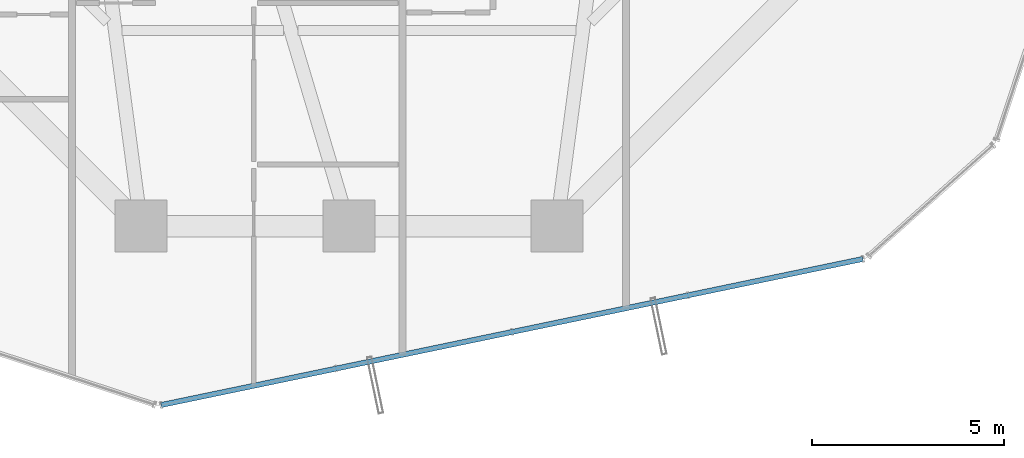
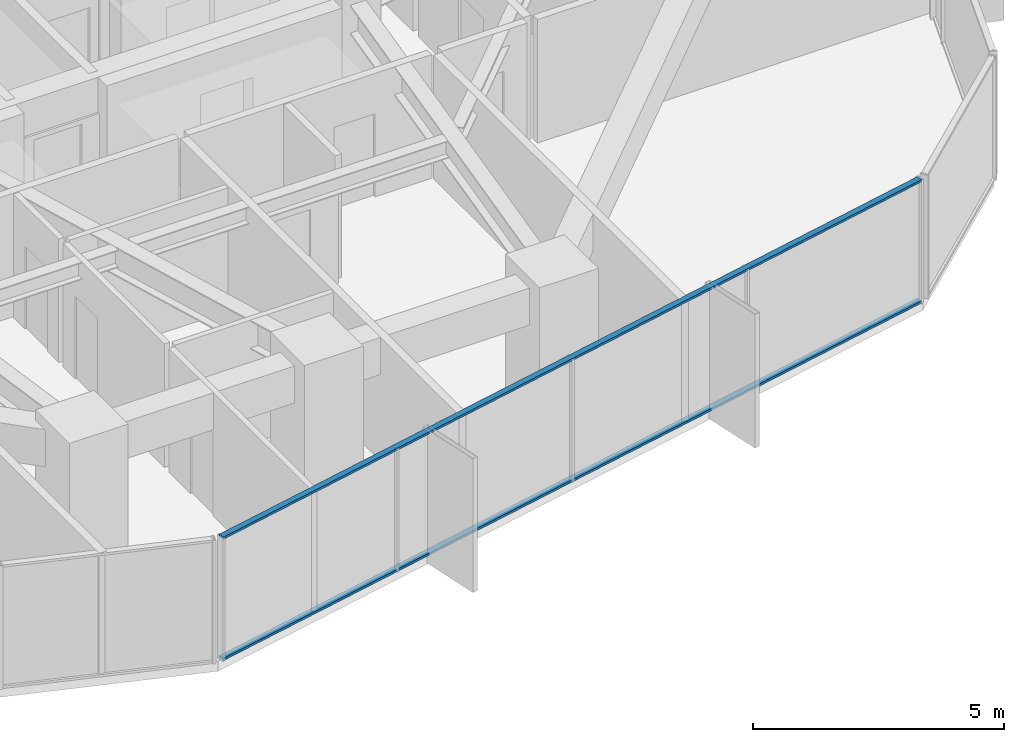
# One storey, part 7 of 38: 2 members, 1 element without a shape of its own.
"""IFC4 building model written with IfcOpenShell, lengths in metres."""

from ifc_helpers import new_model, si_unit, direction, frame, origin, origin_2d, place, context, subcontext, project, spatial, hollow_rectangle, extrude, source, transform, mapped, material, layer, layer_set, material_profile, profile_set, type_object, element, aggregate, save


model = new_model("IFC4")

# Units and contexts
model_context = context("Model", 3, precision=1e-05, world=origin(), true_north=direction((0.0, 1.0)))
body_context = subcontext(model_context, "Body", "Model", "MODEL_VIEW")
ifc_project = project(units=[si_unit("LENGTHUNIT", "METRE"), si_unit("AREAUNIT", "SQUARE_METRE"), si_unit("VOLUMEUNIT", "CUBIC_METRE"), si_unit("PLANEANGLEUNIT", "RADIAN"), si_unit("MASSUNIT", "GRAM", prefix="KILO")], contexts=[model_context])

# Site, building, storey
site_placement = place(None, origin())
site = spatial("IfcSite", under=ifc_project, at=site_placement, CompositionType="ELEMENT")
building_placement = place(site_placement, origin())
building = spatial("IfcBuilding", under=site, at=building_placement, Name="Veraguas Prism Commons", CompositionType="ELEMENT")
storey_placement = place(building_placement, frame((0.0, 0.0, 64.10009765625)))
storey = spatial("IfcBuildingStorey", under=building, at=storey_placement, Name="L17", CompositionType="ELEMENT", Elevation=64.10009765625)

# Curtain wall, members
ifc_material = material(Name="Anodised aluminium EN AW-6063 T6", Category="aluminium")
ifc_layer = layer(ifc_material, 0.169921875, Name="Unitised Flush Curtain Wall Zone 1", Category="aluminium")
ifc_layer_set = layer_set([ifc_layer], Name="Anodised aluminium EN AW-6063 T6")
curtain_wall_type = type_object("IfcCurtainWallType", Name="Unitised Flush Curtain Wall Zone 1", PredefinedType="NOTDEFINED", material=ifc_layer_set)
curtain_wall_placement = place(storey_placement, origin())
curtain_wall = element("IfcCurtainWall", 1, at=curtain_wall_placement, inside=storey, type_object=curtain_wall_type, Name="Tower Facade Curtain Wall L17-F5", PredefinedType="NOTDEFINED")
ifc_material_profile = material_profile(ifc_material, hollow_rectangle(XDim=0.054931640625, YDim=0.135009765625, WallThickness=0.0029296875, at=origin_2d()), Name="AL55X135X3")
ifc_profile_set = profile_set([ifc_material_profile], Name="Anodised aluminium EN AW-6063 T6")
member_type = type_object("IfcMemberType", Name="Curtain Wall Transom Standard AL 55x135x3", PredefinedType="USERDEFINED", material=ifc_profile_set)
shared_shape = source(origin(), body_context, "Body", "SweptSolid", [
    extrude(hollow_rectangle(XDim=0.054931640625, YDim=0.135009765625, WallThickness=0.0029296875, at=origin_2d()), origin(), (0.0, 0.0, 1.0), 18.623779296875),
])
member_1_placement = place(storey_placement, frame((19.11962890625, 1.753662109375, 0.02734375), z_axis=(0.979008547939, 0.203819192086, 0.0), x_axis=(0.0, 0.0, 1.0)))
member_1 = element("IfcMember", 2, at=member_1_placement, type_object=member_type, Name="CW-Z1 Transom 1", ObjectType="TRANSOM", PredefinedType="USERDEFINED", context=body_context, shape_type="MappedRepresentation", body=[
    mapped(shared_shape, transform((0.0, 0.0, 0.0), scale=1.0)),
])
member_2_placement = place(storey_placement, frame((19.11962890625, 1.753662109375, 2.972412109375), z_axis=(0.979008547939, 0.203819192086, 0.0), x_axis=(0.0, 0.0, 1.0)))
member_2 = element("IfcMember", 3, at=member_2_placement, type_object=member_type, Name="CW-Z1 Transom 2", ObjectType="TRANSOM", PredefinedType="USERDEFINED", context=body_context, shape_type="MappedRepresentation", body=[
    mapped(shared_shape, transform((0.0, 0.0, 0.0), scale=1.0)),
])
aggregate(curtain_wall, [member_1, member_2])

save(model, "model.ifc")
